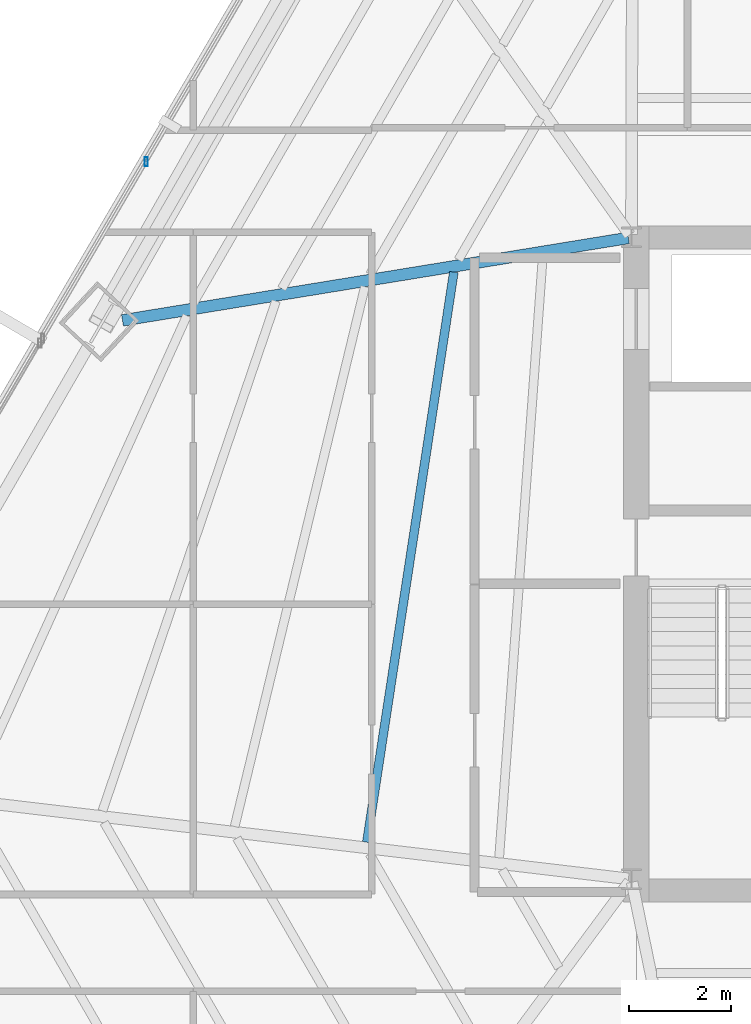
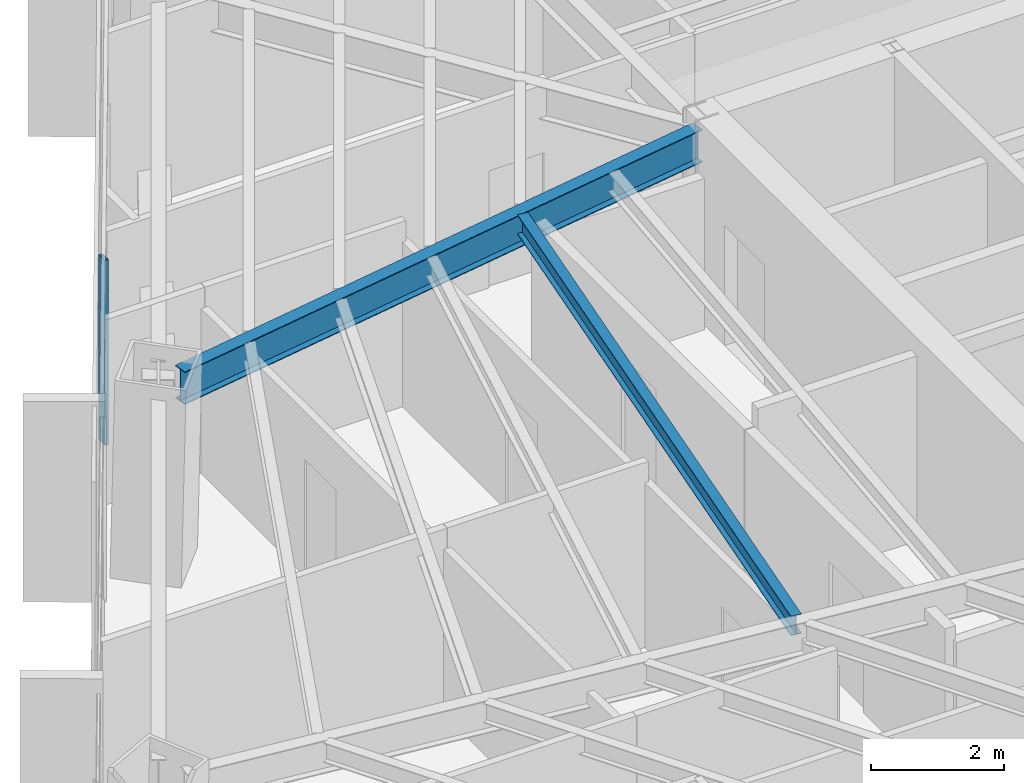
# One storey, part 12 of 37: 2 beams, 1 member, 1 element without a shape of its own.
"""IFC4 building model written with IfcOpenShell, lengths in metres."""

from ifc_helpers import new_model, si_unit, direction, frame, origin, origin_2d, place, context, subcontext, project, spatial, hollow_rectangle, i_section, extrude, source, transform, mapped, material, material_profile, profile_set, type_object, type_shapes, element, aggregate, save


model = new_model("IFC4")

# Units and contexts
model_context = context("Model", 3, precision=1e-05, world=origin(), true_north=direction((0.0, 1.0)))
body_context = subcontext(model_context, "Body", "Model", "MODEL_VIEW")
ifc_project = project(units=[si_unit("LENGTHUNIT", "METRE"), si_unit("AREAUNIT", "SQUARE_METRE"), si_unit("VOLUMEUNIT", "CUBIC_METRE"), si_unit("PLANEANGLEUNIT", "RADIAN"), si_unit("MASSUNIT", "GRAM", prefix="KILO")], contexts=[model_context])

# Site, building, storey
site_placement = place(None, origin())
site = spatial("IfcSite", under=ifc_project, at=site_placement, CompositionType="ELEMENT")
building_placement = place(site_placement, origin())
building = spatial("IfcBuilding", under=site, at=building_placement, Name="Caelisora Broadcast Tower", CompositionType="ELEMENT")
storey_placement = place(building_placement, frame((0.0, 0.0, 101.75)))
storey = spatial("IfcBuildingStorey", under=building, at=storey_placement, Name="L26", CompositionType="ELEMENT", Elevation=101.75)

# Beams
ifc_material_1 = material(Name="Steel Grade 350 (AS/NZS 3679.1)", Category="steel")
ifc_material_profile_1 = material_profile(ifc_material_1, i_section(OverallWidth=0.22802734375, OverallDepth=0.602294921875, WebThickness=0.010498046875, FlangeThickness=0.014892578125, at=origin_2d()), Name="Steel Grade 350 (AS/NZS 3679.1)")
ifc_profile_set_1 = profile_set([ifc_material_profile_1], Name="Steel Grade 350 (AS/NZS 3679.1)")
beam_type_1 = type_object("IfcBeamType", Name="PG04", PredefinedType="BEAM", material=ifc_profile_set_1)
shared_shape_1 = source(origin(), body_context, "Body", "SweptSolid", [
    extrude(i_section(OverallWidth=0.22802734375, OverallDepth=0.602294921875, WebThickness=0.010498046875, FlangeThickness=0.014892578125, at=origin_2d()), origin(), (0.0, 0.0, 1.0), 10.06396484375),
])
type_shapes(beam_type_1, [shared_shape_1])
beam_1_placement = place(storey_placement, frame((30.44091796875, 29.990234375, 3.098876953125), z_axis=(-0.986965454837, -0.160932255804, 0.0), x_axis=(0.160932255804, -0.986965454837, 0.0)))
element("IfcBeam", 1, at=beam_1_placement, inside=storey, type_object=beam_type_1, Name="L26 beam PG04", PredefinedType="BEAM", context=body_context, shape_type="MappedRepresentation", body=[
    mapped(shared_shape_1, transform((0.0, 0.0, 0.0), scale=1.0)),
])
ifc_material_profile_2 = material_profile(ifc_material_1, i_section(OverallWidth=0.172119140625, OverallDepth=0.358642578125, WebThickness=0.008056640625, FlangeThickness=0.012939453125, at=origin_2d()), Name="Steel Grade 350 (AS/NZS 3679.1)")
ifc_profile_set_2 = profile_set([ifc_material_profile_2], Name="Steel Grade 350 (AS/NZS 3679.1)")
beam_type_2 = type_object("IfcBeamType", Name="SB02", PredefinedType="JOIST", material=ifc_profile_set_2)
shared_shape_2 = source(origin(), body_context, "Body", "SweptSolid", [
    extrude(i_section(OverallWidth=0.172119140625, OverallDepth=0.358642578125, WebThickness=0.008056640625, FlangeThickness=0.012939453125, at=origin_2d()), origin(), (0.0, 0.0, 1.0), 11.322021484375),
])
type_shapes(beam_type_2, [shared_shape_2])
beam_2_placement = place(storey_placement, frame((27.013427734375, 29.31884765625, 3.220703125), z_axis=(-0.150836921359, -0.988558659441, 0.0), x_axis=(0.988558659441, -0.150836921359, 0.0)))
element("IfcBeam", 2, at=beam_2_placement, inside=storey, type_object=beam_type_2, Name="L26 beam SB02", PredefinedType="JOIST", context=body_context, shape_type="MappedRepresentation", body=[
    mapped(shared_shape_2, transform((0.0, 0.0, 0.0), scale=1.0)),
])

# Curtain wall, member
ifc_material_2 = material(Name="Unitised Aluminium Insulated Shadow-Box Spandrel Curtain Wall", Category="aluminium")
curtain_wall_type = type_object("IfcCurtainWallType", Name="CW-SP1", PredefinedType="NOTDEFINED", material=ifc_material_2)
curtain_wall_placement = place(storey_placement, origin())
curtain_wall = element("IfcCurtainWall", 3, at=curtain_wall_placement, inside=storey, type_object=curtain_wall_type, Name="L26 curtain wall CW-SP1", PredefinedType="NOTDEFINED")
ifc_material_3 = material(Name="Aluminium 6063-T6 Anodised Terracotta Bronze", Category="aluminium")
ifc_material_profile_3 = material_profile(ifc_material_3, hollow_rectangle(XDim=0.06494140625, YDim=0.179931640625, WallThickness=0.00341796875, at=origin_2d()), Name="Aluminium 6063-T6 Anodised Terracotta Bronze")
ifc_profile_set_3 = profile_set([ifc_material_profile_3], Name="Aluminium 6063-T6 Anodised Terracotta Bronze")
member_type = type_object("IfcMemberType", Name="CWM-02", PredefinedType="MULLION", material=ifc_profile_set_3)
shared_shape_3 = source(origin(), body_context, "Body", "SweptSolid", [
    extrude(hollow_rectangle(XDim=0.06494140625, YDim=0.179931640625, WallThickness=0.00341796875, at=origin_2d()), origin(), (0.0, 0.0, 1.0), 3.39990234375),
])
type_shapes(member_type, [shared_shape_3])
member_placement = place(storey_placement, frame((20.9736328125, 31.485595703125, 0.0), z_axis=(0.0, 0.0, 1.0), x_axis=(1.0, 0.0, 0.0)))
member = element("IfcMember", 4, at=member_placement, type_object=member_type, Name="L26-CW-B10 mullion #1", PredefinedType="MULLION", context=body_context, shape_type="MappedRepresentation", body=[
    mapped(shared_shape_3, transform((0.0, 0.0, 0.0), scale=1.0)),
])
aggregate(curtain_wall, [member])

save(model, "model.ifc")
